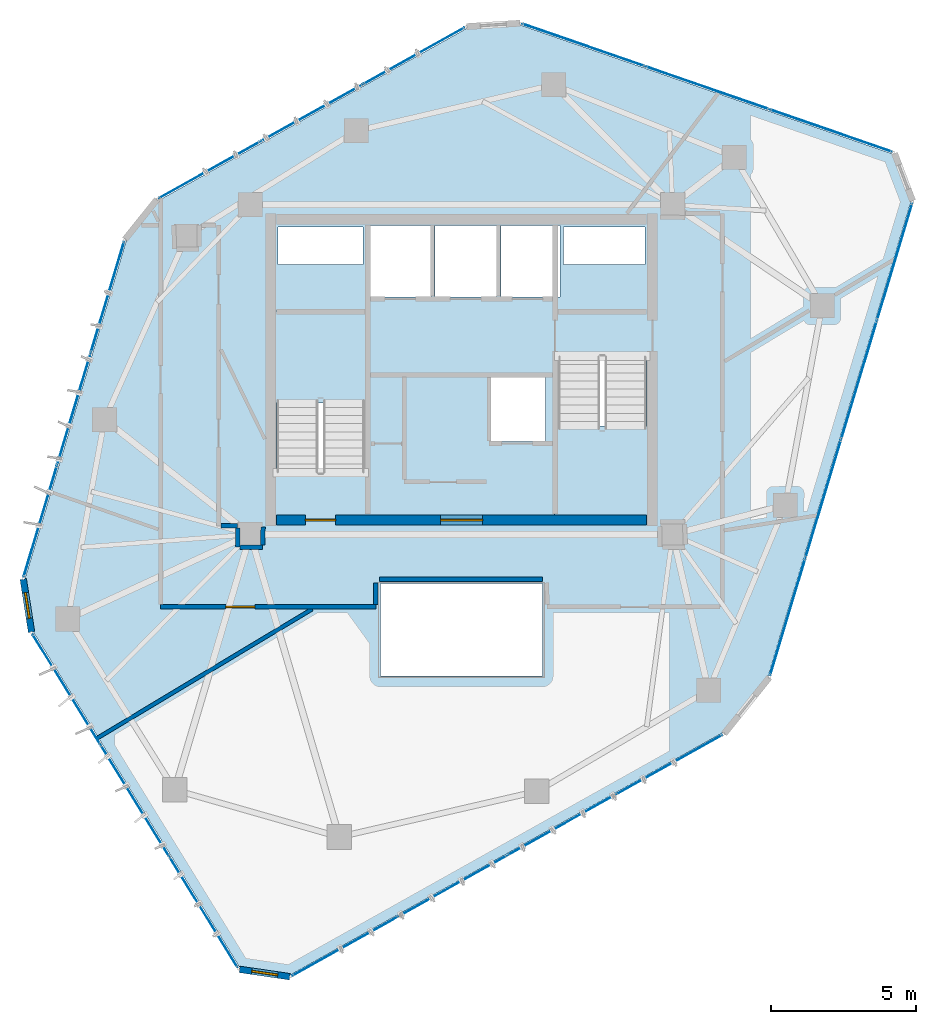
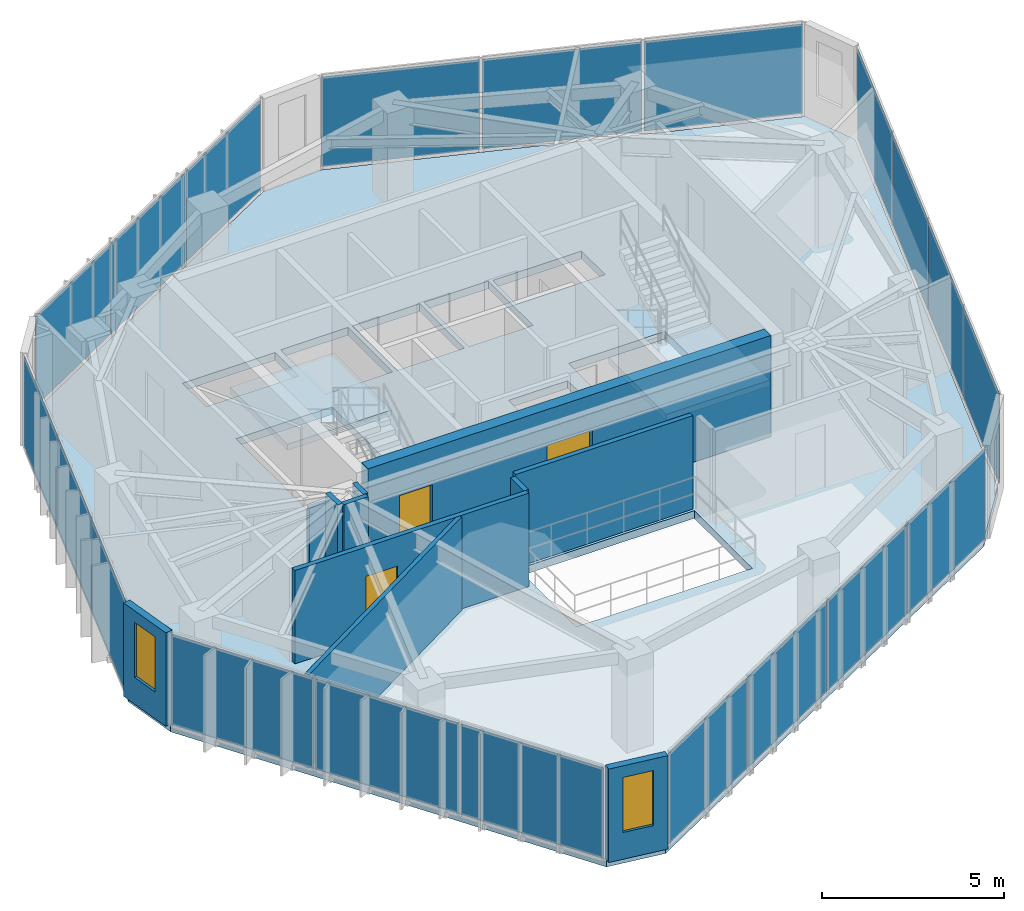
# One storey, part 16 of 20: 20 plates, 11 walls, 3 doors, 3 slabs, 2 windows, 5 openings, 8 elements without a shape of their own.
"""IFC4 building model written with IfcOpenShell, lengths in metres."""

from ifc_helpers import new_model, si_unit, direction, frame, frame_2d, origin, origin_2d, place, context, subcontext, project, spatial, polyline, rectangle, outline, extrude, source, transform, mapped, material, layer, layer_set, type_object, type_shapes, element, fill, aggregate, save


model = new_model("IFC4")

# Units and contexts
model_context = context("Model", 3, precision=1e-05, world=origin(), true_north=direction((0.0, 1.0)))
body_context = subcontext(model_context, "Body", "Model", "MODEL_VIEW")
ifc_project = project(units=[si_unit("LENGTHUNIT", "METRE"), si_unit("AREAUNIT", "SQUARE_METRE"), si_unit("VOLUMEUNIT", "CUBIC_METRE"), si_unit("PLANEANGLEUNIT", "RADIAN"), si_unit("MASSUNIT", "GRAM", prefix="KILO")], contexts=[model_context])

# Site, building, storey
site_placement = place(None, origin())
site = spatial("IfcSite", under=ifc_project, at=site_placement, CompositionType="ELEMENT")
building_placement = place(site_placement, origin())
building = spatial("IfcBuilding", under=site, at=building_placement, Name="Talar Marvaseh", CompositionType="ELEMENT")
storey_placement = place(building_placement, frame((0.0, 0.0, 257.800048828125)))
storey = spatial("IfcBuildingStorey", under=building, at=storey_placement, Name="L68", CompositionType="ELEMENT", Elevation=257.800048828125)

# Stair, slab
ifc_material_1 = material(Name="Concrete C40/50", Category="concrete")
stair_type = type_object("IfcStairType", Name="Reinforced Concrete High-Rise Exit Stair Type C", PredefinedType="HALF_TURN_STAIR", material=ifc_material_1)
stair_1_placement = place(storey_placement, origin())
stair_1 = element("IfcStair", 1, at=stair_1_placement, inside=storey, type_object=stair_type, Name="L68 Tower West Core Exit Stair", PredefinedType="HALF_TURN_STAIR")
ifc_layer_1 = layer(ifc_material_1, 0.199951171875)
ifc_layer_set_1 = layer_set([ifc_layer_1], Name="Concrete C40/50")
slab_type_1 = type_object("IfcSlabType", Name="Reinforced Concrete Stair Half-Landing Slab 200", PredefinedType="LANDING", material=ifc_layer_set_1)
slab_1_placement = place(storey_placement, frame((0.0, 0.0, 1.5)))
slab_1 = element("IfcSlab", 2, at=slab_1_placement, type_object=slab_type_1, Name="ST-1 landing 1", PredefinedType="LANDING", context=body_context, shape_type="SweptSolid", body=[
    extrude(outline(polyline([(22.780029296875, 30.050048828125), (22.780029296875, 33.219970703125), (19.47998046875, 33.219970703125), (19.47998046875, 30.050048828125), (22.780029296875, 30.050048828125)])), origin(), (0.0, 0.0, 1.0), 0.199951171875),
])
aggregate(stair_1, [slab_1])

stair_2_placement = place(storey_placement, origin())
stair_2 = element("IfcStair", 3, at=stair_2_placement, inside=storey, type_object=stair_type, Name="L68 Tower East Core Exit Stair", PredefinedType="HALF_TURN_STAIR")
slab_2_placement = place(storey_placement, frame((0.0, 0.0, 1.5)))
slab_2 = element("IfcSlab", 4, at=slab_2_placement, type_object=slab_type_1, Name="ST-2 landing 1", PredefinedType="LANDING", context=body_context, shape_type="SweptSolid", body=[
    extrude(outline(polyline([(29.219970703125, 29.25), (29.219970703125, 26.080078125), (32.52001953125, 26.080078125), (32.52001953125, 29.25), (29.219970703125, 29.25)])), origin(), (0.0, 0.0, 1.0), 0.199951171875),
])
aggregate(stair_2, [slab_2])

# Slab
ifc_layer_2 = layer(ifc_material_1, 0.260009765625)
ifc_layer_set_2 = layer_set([ifc_layer_2], Name="Concrete C40/50")
slab_type_2 = type_object("IfcSlabType", Name="Structural Suspended Floor Slab 260", PredefinedType="FLOOR", material=ifc_layer_set_2)
slab_3_placement = place(storey_placement, frame((0.0, 0.0, -0.260009765625)))
element("IfcSlab", 5, at=slab_3_placement, inside=storey, type_object=slab_type_2, Name="L68 Tower Floor Slab", PredefinedType="FLOOR", context=body_context, shape_type="SweptSolid", body=[
    extrude(outline(polyline([(20.07568359375, 10.26611328125), (18.336181640625, 10.5205078125), (11.1923828125, 22.134033203125), (10.906005859375, 23.96826171875), (14.409912109375, 35.660400390625), (15.5244140625, 37.049072265625), (26.18115234375, 43.00048828125), (28.033935546875, 43.117919921875), (40.918212890625, 38.6572265625), (41.543212890625, 37.01416015625), (36.599609375, 20.597412109375), (35.033203125, 18.645751953125), (20.07568359375, 10.26611328125)]), holes=[polyline([(22.659912109375, 27.64990234375), (22.659912109375, 33.10009765625), (19.60009765625, 33.10009765625), (19.60009765625, 27.64990234375), (22.659912109375, 27.64990234375)]), polyline([(29.340087890625, 31.64990234375), (29.340087890625, 26.199951171875), (32.39990234375, 26.199951171875), (32.39990234375, 31.64990234375), (29.340087890625, 31.64990234375)]), polyline([(22.800048828125, 33.719970703125), (24.93994140625, 33.719970703125), (24.93994140625, 36.179931640625), (22.800048828125, 36.179931640625), (22.800048828125, 33.719970703125)]), polyline([(25.080078125, 33.719970703125), (27.219970703125, 33.719970703125), (27.219970703125, 36.179931640625), (25.080078125, 36.179931640625), (25.080078125, 33.719970703125)]), polyline([(27.360107421875, 33.719970703125), (29.39990234375, 33.719970703125), (29.39990234375, 36.179931640625), (27.360107421875, 36.179931640625), (27.360107421875, 33.719970703125)]), polyline([(27.02001953125, 28.719970703125), (28.89990234375, 28.719970703125), (28.89990234375, 30.93994140625), (27.02001953125, 30.93994140625), (27.02001953125, 28.719970703125)]), polyline([(19.659912109375, 34.840087890625), (22.60009765625, 34.840087890625), (22.60009765625, 36.139892578125), (19.659912109375, 36.139892578125), (19.659912109375, 34.840087890625)]), polyline([(29.52001953125, 34.840087890625), (32.340087890625, 34.840087890625), (32.340087890625, 36.139892578125), (29.52001953125, 36.139892578125), (29.52001953125, 34.840087890625)]), polyline([(23.199951171875, 20.60009765625), (28.800048828125, 20.60009765625), (28.800048828125, 23.800048828125), (23.199951171875, 23.800048828125), (23.199951171875, 20.60009765625)])]), origin(), (0.0, 0.0, 1.0), 0.260009765625),
])

# Curtain wall, plates
ifc_material_2 = material(Name="Architectural Aluminium", Category="aluminium")
ifc_layer_3 = layer(ifc_material_2, 0.179931640625)
ifc_layer_set_3 = layer_set([ifc_layer_3], Name="Architectural Aluminium")
curtain_wall_type = type_object("IfcCurtainWallType", Name="Unitised High-Wind Sky Curtain Wall Z4", PredefinedType="NOTDEFINED", material=ifc_layer_set_3)
curtain_wall_1_placement = place(storey_placement, origin())
curtain_wall_1 = element("IfcCurtainWall", 6, at=curtain_wall_1_placement, inside=storey, type_object=curtain_wall_type, Name="L68 Unitised High-Wind Sky Curtain Wall Z4", PredefinedType="NOTDEFINED")
ifc_material_3 = material(Name="Laminated Low-E Solar Glass", Category="glass")
ifc_layer_4 = layer(ifc_material_3, 0.028076171875)
ifc_layer_set_4 = layer_set([ifc_layer_4], Name="Laminated Low-E Solar Glass")
plate_type = type_object("IfcPlateType", Name="Double-Glazed Low-E Vision Curtain Panel 28", PredefinedType="CURTAIN_PANEL", material=ifc_layer_set_4)
shared_shape_1 = source(origin(), body_context, "Body", "SweptSolid", [
    extrude(rectangle(XDim=4.447509765625, YDim=0.028076171875, at=origin_2d()), origin(), (0.0, 0.0, 1.0), 3.010009765625),
])
plate_1_placement = place(storey_placement, frame((17.0859375, 12.4384765625, 0.06494140625), z_axis=(0.0, 0.0, 1.0), x_axis=(-0.523928822294, 0.851762049618, 0.0)))
plate_1 = element("IfcPlate", 7, at=plate_1_placement, type_object=plate_type, Name="CW-Z4 panel 1.1", PredefinedType="CURTAIN_PANEL", context=body_context, shape_type="MappedRepresentation", body=[
    mapped(shared_shape_1, transform((0.0, 0.0, 0.0), x_axis=(1.0, 0.0, 0.0), y_axis=(0.0, 1.0, 0.0), z_axis=(0.0, 0.0, 1.0), scale=1.0)),
])
plate_2_placement = place(storey_placement, frame((12.340576171875, 20.153076171875, 0.06494140625), z_axis=(0.0, 0.0, 1.0), x_axis=(-0.523928822294, 0.851762049618, 0.0)))
plate_2 = element("IfcPlate", 8, at=plate_2_placement, type_object=plate_type, Name="CW-Z4 panel 3.1", PredefinedType="CURTAIN_PANEL", context=body_context, shape_type="MappedRepresentation", body=[
    mapped(shared_shape_1, transform((0.0, 0.0, 0.0), x_axis=(1.0, 0.0, 0.0), y_axis=(0.0, 1.0, 0.0), z_axis=(0.0, 0.0, 1.0), scale=1.0)),
])

curtain_wall_2_placement = place(storey_placement, origin())
curtain_wall_2 = element("IfcCurtainWall", 9, at=curtain_wall_2_placement, inside=storey, type_object=curtain_wall_type, Name="L68 Unitised High-Wind Sky Curtain Wall Z4", PredefinedType="NOTDEFINED")
plate_3_placement = place(storey_placement, frame((30.21630859375, 42.42578125, 0.06494140625), z_axis=(0.0, 0.0, 1.0), x_axis=(0.944972121067, -0.327150867959, 0.0)))
plate_3 = element("IfcPlate", 10, at=plate_3_placement, type_object=plate_type, Name="CW-Z4 panel 1.1", PredefinedType="CURTAIN_PANEL", context=body_context, shape_type="MappedRepresentation", body=[
    mapped(shared_shape_1, transform((0.0, 0.0, 0.0), x_axis=(1.0, 0.0, 0.0), y_axis=(0.0, 1.0, 0.0), z_axis=(0.0, 0.0, 1.0), scale=1.0)),
])
plate_4_placement = place(storey_placement, frame((38.775146484375, 39.462646484375, 0.06494140625), z_axis=(0.0, 0.0, 1.0), x_axis=(0.944972121067, -0.327150867959, 0.0)))
plate_4 = element("IfcPlate", 11, at=plate_4_placement, type_object=plate_type, Name="CW-Z4 panel 3.1", PredefinedType="CURTAIN_PANEL", context=body_context, shape_type="MappedRepresentation", body=[
    mapped(shared_shape_1, transform((0.0, 0.0, 0.0), x_axis=(1.0, 0.0, 0.0), y_axis=(0.0, 1.0, 0.0), z_axis=(0.0, 0.0, 1.0), scale=1.0)),
])

# Plate
shared_shape_2 = source(origin(), body_context, "Body", "SweptSolid", [
    extrude(rectangle(XDim=4.47998046875, YDim=0.028076171875, at=origin_2d()), origin(), (0.0, 0.0, 1.0), 3.010009765625),
])
plate_5_placement = place(storey_placement, frame((14.713134765625, 16.2958984375, 0.06494140625), z_axis=(0.0, 0.0, 1.0), x_axis=(-0.523928822294, 0.851762049618, 0.0)))
plate_5 = element("IfcPlate", 12, at=plate_5_placement, type_object=plate_type, Name="CW-Z4 panel 2.1", PredefinedType="CURTAIN_PANEL", context=body_context, shape_type="MappedRepresentation", body=[
    mapped(shared_shape_2, transform((0.0, 0.0, 0.0), x_axis=(1.0, 0.0, 0.0), y_axis=(0.0, 1.0, 0.0), z_axis=(0.0, 0.0, 1.0), scale=1.0)),
])

aggregate(curtain_wall_1, [plate_1, plate_5, plate_2])

plate_6_placement = place(storey_placement, frame((34.49560546875, 40.9443359375, 0.06494140625), z_axis=(0.0, 0.0, 1.0), x_axis=(0.944972121067, -0.327150867959, 0.0)))
plate_6 = element("IfcPlate", 13, at=plate_6_placement, type_object=plate_type, Name="CW-Z4 panel 2.1", PredefinedType="CURTAIN_PANEL", context=body_context, shape_type="MappedRepresentation", body=[
    mapped(shared_shape_2, transform((0.0, 0.0, 0.0), x_axis=(1.0, 0.0, 0.0), y_axis=(0.0, 1.0, 0.0), z_axis=(0.0, 0.0, 1.0), scale=1.0)),
])

aggregate(curtain_wall_2, [plate_3, plate_6, plate_4])

# Curtain wall, plates
curtain_wall_3_placement = place(storey_placement, origin())
curtain_wall_3 = element("IfcCurtainWall", 14, at=curtain_wall_3_placement, inside=storey, type_object=curtain_wall_type, Name="L68 Unitised High-Wind Sky Curtain Wall Z4", PredefinedType="NOTDEFINED")
shared_shape_3 = source(origin(), body_context, "Body", "SweptSolid", [
    extrude(rectangle(XDim=3.97119140625, YDim=0.028076171875, at=origin_2d()), origin(), (0.0, 0.0, 1.0), 3.010009765625),
])
plate_7_placement = place(storey_placement, frame((11.437255859375, 25.94970703125, 0.06494140625), z_axis=(0.0, 0.0, 1.0), x_axis=(0.287063008418, 0.957911702193, 0.0)))
plate_7 = element("IfcPlate", 15, at=plate_7_placement, type_object=plate_type, Name="CW-Z4 panel 1.1", PredefinedType="CURTAIN_PANEL", context=body_context, shape_type="MappedRepresentation", body=[
    mapped(shared_shape_3, transform((0.0, 0.0, 0.0), x_axis=(1.0, 0.0, 0.0), y_axis=(0.0, 1.0, 0.0), z_axis=(0.0, 0.0, 1.0), scale=1.0)),
])
plate_8_placement = place(storey_placement, frame((13.763671875, 33.71337890625, 0.06494140625), z_axis=(0.0, 0.0, 1.0), x_axis=(0.287063008418, 0.957911702193, 0.0)))
plate_8 = element("IfcPlate", 16, at=plate_8_placement, type_object=plate_type, Name="CW-Z4 panel 3.1", PredefinedType="CURTAIN_PANEL", context=body_context, shape_type="MappedRepresentation", body=[
    mapped(shared_shape_3, transform((0.0, 0.0, 0.0), x_axis=(1.0, 0.0, 0.0), y_axis=(0.0, 1.0, 0.0), z_axis=(0.0, 0.0, 1.0), scale=1.0)),
])

curtain_wall_4_placement = place(storey_placement, origin())
curtain_wall_4 = element("IfcCurtainWall", 17, at=curtain_wall_4_placement, inside=storey, type_object=curtain_wall_type, Name="L68 Unitised High-Wind Sky Curtain Wall Z4", PredefinedType="NOTDEFINED")
plate_9_placement = place(storey_placement, frame((17.285400390625, 38.101318359375, 0.06494140625), z_axis=(0.0, 0.0, 1.0), x_axis=(0.873073049607, 0.487589427747, 0.0)))
plate_9 = element("IfcPlate", 18, at=plate_9_placement, type_object=plate_type, Name="CW-Z4 panel 1.1", PredefinedType="CURTAIN_PANEL", context=body_context, shape_type="MappedRepresentation", body=[
    mapped(shared_shape_3, transform((0.0, 0.0, 0.0), x_axis=(1.0, 0.0, 0.0), y_axis=(0.0, 1.0, 0.0), z_axis=(0.0, 0.0, 1.0), scale=1.0)),
])
plate_10_placement = place(storey_placement, frame((24.361572265625, 42.05322265625, 0.06494140625), z_axis=(0.0, 0.0, 1.0), x_axis=(0.873073049607, 0.487589427747, 0.0)))
plate_10 = element("IfcPlate", 19, at=plate_10_placement, type_object=plate_type, Name="CW-Z4 panel 3.1", PredefinedType="CURTAIN_PANEL", context=body_context, shape_type="MappedRepresentation", body=[
    mapped(shared_shape_3, transform((0.0, 0.0, 0.0), x_axis=(1.0, 0.0, 0.0), y_axis=(0.0, 1.0, 0.0), z_axis=(0.0, 0.0, 1.0), scale=1.0)),
])

# Plate
shared_shape_4 = source(origin(), body_context, "Body", "SweptSolid", [
    extrude(rectangle(XDim=4.003662109375, YDim=0.028076171875, at=origin_2d()), origin(), (0.0, 0.0, 1.0), 3.010009765625),
])
plate_11_placement = place(storey_placement, frame((12.600341796875, 29.83154296875, 0.06494140625), z_axis=(0.0, 0.0, 1.0), x_axis=(0.287063008418, 0.957911702193, 0.0)))
plate_11 = element("IfcPlate", 20, at=plate_11_placement, type_object=plate_type, Name="CW-Z4 panel 2.1", PredefinedType="CURTAIN_PANEL", context=body_context, shape_type="MappedRepresentation", body=[
    mapped(shared_shape_4, transform((0.0, 0.0, 0.0), x_axis=(1.0, 0.0, 0.0), y_axis=(0.0, 1.0, 0.0), z_axis=(0.0, 0.0, 1.0), scale=1.0)),
])

aggregate(curtain_wall_3, [plate_7, plate_11, plate_8])

plate_12_placement = place(storey_placement, frame((20.823486328125, 40.0771484375, 0.06494140625), z_axis=(0.0, 0.0, 1.0), x_axis=(0.873073049607, 0.487589427747, 0.0)))
plate_12 = element("IfcPlate", 21, at=plate_12_placement, type_object=plate_type, Name="CW-Z4 panel 2.1", PredefinedType="CURTAIN_PANEL", context=body_context, shape_type="MappedRepresentation", body=[
    mapped(shared_shape_4, transform((0.0, 0.0, 0.0), x_axis=(1.0, 0.0, 0.0), y_axis=(0.0, 1.0, 0.0), z_axis=(0.0, 0.0, 1.0), scale=1.0)),
])

aggregate(curtain_wall_4, [plate_9, plate_12, plate_10])

# Curtain wall, plates
curtain_wall_5_placement = place(storey_placement, origin())
curtain_wall_5 = element("IfcCurtainWall", 22, at=curtain_wall_5_placement, inside=storey, type_object=curtain_wall_type, Name="L68 Unitised High-Wind Sky Curtain Wall Z4", PredefinedType="NOTDEFINED")
shared_shape_5 = source(origin(), body_context, "Body", "SweptSolid", [
    extrude(rectangle(XDim=4.188720703125, YDim=0.028076171875, at=origin_2d()), origin(), (0.0, 0.0, 1.0), 3.010009765625),
])
plate_13_placement = place(storey_placement, frame((40.978271484375, 34.92919921875, 0.06494140625), z_axis=(0.0, 0.0, 1.0), x_axis=(-0.288346227677, -0.957526215299, 0.0)))
plate_13 = element("IfcPlate", 23, at=plate_13_placement, type_object=plate_type, Name="CW-Z4 panel 1.1", PredefinedType="CURTAIN_PANEL", context=body_context, shape_type="MappedRepresentation", body=[
    mapped(shared_shape_5, transform((0.0, 0.0, 0.0), x_axis=(1.0, 0.0, 0.0), y_axis=(0.0, 1.0, 0.0), z_axis=(0.0, 0.0, 1.0), scale=1.0)),
])
plate_14_placement = place(storey_placement, frame((37.27978515625, 22.647705078125, 0.06494140625), z_axis=(0.0, 0.0, 1.0), x_axis=(-0.288346227677, -0.957526215299, 0.0)))
plate_14 = element("IfcPlate", 24, at=plate_14_placement, type_object=plate_type, Name="CW-Z4 panel 4.1", PredefinedType="CURTAIN_PANEL", context=body_context, shape_type="MappedRepresentation", body=[
    mapped(shared_shape_5, transform((0.0, 0.0, 0.0), x_axis=(1.0, 0.0, 0.0), y_axis=(0.0, 1.0, 0.0), z_axis=(0.0, 0.0, 1.0), scale=1.0)),
])

curtain_wall_6_placement = place(storey_placement, origin())
curtain_wall_6 = element("IfcCurtainWall", 25, at=curtain_wall_6_placement, inside=storey, type_object=curtain_wall_type, Name="L68 Unitised High-Wind Sky Curtain Wall Z4", PredefinedType="NOTDEFINED")
plate_15_placement = place(storey_placement, frame((33.1787109375, 17.5380859375, 0.06494140625), z_axis=(0.0, 0.0, 1.0), x_axis=(-0.872421760734, -0.488753794255, 0.0)))
plate_15 = element("IfcPlate", 26, at=plate_15_placement, type_object=plate_type, Name="CW-Z4 panel 1.1", PredefinedType="CURTAIN_PANEL", context=body_context, shape_type="MappedRepresentation", body=[
    mapped(shared_shape_5, transform((0.0, 0.0, 0.0), x_axis=(1.0, 0.0, 0.0), y_axis=(0.0, 1.0, 0.0), z_axis=(0.0, 0.0, 1.0), scale=1.0)),
])
plate_16_placement = place(storey_placement, frame((21.98876953125, 11.26904296875, 0.06494140625), z_axis=(0.0, 0.0, 1.0), x_axis=(-0.872421760734, -0.488753794255, 0.0)))
plate_16 = element("IfcPlate", 27, at=plate_16_placement, type_object=plate_type, Name="CW-Z4 panel 4.1", PredefinedType="CURTAIN_PANEL", context=body_context, shape_type="MappedRepresentation", body=[
    mapped(shared_shape_5, transform((0.0, 0.0, 0.0), x_axis=(1.0, 0.0, 0.0), y_axis=(0.0, 1.0, 0.0), z_axis=(0.0, 0.0, 1.0), scale=1.0)),
])

# Plate
shared_shape_6 = source(origin(), body_context, "Body", "SweptSolid", [
    extrude(rectangle(XDim=4.22119140625, YDim=0.028076171875, at=origin_2d()), origin(), (0.0, 0.0, 1.0), 3.010009765625),
])
type_shapes(plate_type, [shared_shape_1, shared_shape_2, shared_shape_3, shared_shape_4, shared_shape_5, shared_shape_6])
plate_17_placement = place(storey_placement, frame((39.746826171875, 30.840576171875, 0.06494140625), z_axis=(0.0, 0.0, 1.0), x_axis=(-0.288346227677, -0.957526215299, 0.0)))
plate_17 = element("IfcPlate", 28, at=plate_17_placement, type_object=plate_type, Name="CW-Z4 panel 2.1", PredefinedType="CURTAIN_PANEL", context=body_context, shape_type="MappedRepresentation", body=[
    mapped(shared_shape_6, transform((0.0, 0.0, 0.0), x_axis=(1.0, 0.0, 0.0), y_axis=(0.0, 1.0, 0.0), z_axis=(0.0, 0.0, 1.0), scale=1.0)),
])

plate_18_placement = place(storey_placement, frame((38.510986328125, 26.736328125, 0.06494140625), z_axis=(0.0, 0.0, 1.0), x_axis=(-0.288346227677, -0.957526215299, 0.0)))
plate_18 = element("IfcPlate", 29, at=plate_18_placement, type_object=plate_type, Name="CW-Z4 panel 3.1", PredefinedType="CURTAIN_PANEL", context=body_context, shape_type="MappedRepresentation", body=[
    mapped(shared_shape_6, transform((0.0, 0.0, 0.0), x_axis=(1.0, 0.0, 0.0), y_axis=(0.0, 1.0, 0.0), z_axis=(0.0, 0.0, 1.0), scale=1.0)),
])

aggregate(curtain_wall_5, [plate_13, plate_17, plate_18, plate_14])

plate_19_placement = place(storey_placement, frame((29.453369140625, 15.450927734375, 0.06494140625), z_axis=(0.0, 0.0, 1.0), x_axis=(-0.872421760734, -0.488753794255, 0.0)))
plate_19 = element("IfcPlate", 30, at=plate_19_placement, type_object=plate_type, Name="CW-Z4 panel 2.1", PredefinedType="CURTAIN_PANEL", context=body_context, shape_type="MappedRepresentation", body=[
    mapped(shared_shape_6, transform((0.0, 0.0, 0.0), x_axis=(1.0, 0.0, 0.0), y_axis=(0.0, 1.0, 0.0), z_axis=(0.0, 0.0, 1.0), scale=1.0)),
])

plate_20_placement = place(storey_placement, frame((25.714111328125, 13.356201171875, 0.06494140625), z_axis=(0.0, 0.0, 1.0), x_axis=(-0.872421760734, -0.488753794255, 0.0)))
plate_20 = element("IfcPlate", 31, at=plate_20_placement, type_object=plate_type, Name="CW-Z4 panel 3.1", PredefinedType="CURTAIN_PANEL", context=body_context, shape_type="MappedRepresentation", body=[
    mapped(shared_shape_6, transform((0.0, 0.0, 0.0), x_axis=(1.0, 0.0, 0.0), y_axis=(0.0, 1.0, 0.0), z_axis=(0.0, 0.0, 1.0), scale=1.0)),
])

aggregate(curtain_wall_6, [plate_15, plate_19, plate_20, plate_16])

# Wall, opening, window
ifc_material_4 = material(Name="Precast concrete C45/55", Category="concrete")
ifc_layer_5 = layer(ifc_material_4, 0.22509765625)
ifc_layer_set_5 = layer_set([ifc_layer_5], Name="Precast concrete C45/55")
wall_type_1 = type_object("IfcWallType", Name="Chamfered Hexagonal Corner Pier Wall Z4 225", PredefinedType="SOLIDWALL", material=ifc_layer_set_5)
wall_1_placement = place(storey_placement, frame((20.06689453125, 10.20654296875, 0.0), z_axis=(0.0, 0.0, 1.0), x_axis=(-0.98945475456, 0.144842288983, 0.0)))
wall_1 = element("IfcWall", 32, at=wall_1_placement, inside=storey, type_object=wall_type_1, Name="L68 Chamfered Corner Limestone Pier 1", PredefinedType="SOLIDWALL", context=body_context, shape_type="SweptSolid", body=[
    extrude(rectangle(XDim=1.758056640625, YDim=0.22509765625, at=frame_2d((0.87890625, 0.0))), origin(), (0.0, 0.0, 1.0), 3.139892578125),
])
opening_1_placement = place(wall_1_placement, frame((0.428955078125, 0.0, 0.89990234375)))
opening_1 = element("IfcOpeningElement", 33, at=opening_1_placement, cuts=wall_1, Name="Opening WN-CHM09", PredefinedType="OPENING", context=body_context, shape_type="SweptSolid", body=[
    extrude(rectangle(XDim=0.89990234375, YDim=1.85009765625, at=frame_2d((0.449951171875, 0.925048828125))), frame((0.0, 0.12255859375, 0.0), z_axis=(0.0, -1.0, 0.0), x_axis=(1.0, 0.0, 0.0)), (0.0, 0.0, 1.0), 0.2451171875),
])
window_type = type_object("IfcWindowType", Name="Zone 4 Chamfered Corner Slot Window 900x1850", PartitioningType="SINGLE_PANEL", PredefinedType="WINDOW", material=ifc_material_3)
shared_shape_7 = source(origin(), body_context, "Body", "SweptSolid", [
    extrude(rectangle(XDim=0.89990234375, YDim=1.85009765625, at=frame_2d((0.449951171875, 0.925048828125))), frame((0.0, 0.030029296875, 0.0), z_axis=(0.0, -1.0, 0.0), x_axis=(1.0, 0.0, 0.0)), (0.0, 0.0, 1.0), 0.06005859375),
])
type_shapes(window_type, [shared_shape_7])
window_1_placement = place(opening_1_placement, origin())
window_1 = element("IfcWindow", 34, at=window_1_placement, inside=storey, type_object=window_type, Name="L68 Chamfered Corner Slot Window", OverallHeight=1.85009765625, OverallWidth=0.89990234375, PartitioningType="SINGLE_PANEL", PredefinedType="WINDOW", context=body_context, shape_type="MappedRepresentation", body=[
    mapped(shared_shape_7, transform((0.0, 0.0, 0.0), x_axis=(1.0, 0.0, 0.0), y_axis=(0.0, 1.0, 0.0), z_axis=(0.0, 0.0, 1.0), scale=1.0)),
])
fill(opening_1, window_1)

wall_2_placement = place(storey_placement, frame((11.13330078125, 22.124755859375, 0.0), z_axis=(0.0, 0.0, 1.0), x_axis=(-0.154388915198, 0.988010153219, 0.0)))
wall_2 = element("IfcWall", 35, at=wall_2_placement, inside=storey, type_object=wall_type_1, Name="L68 Chamfered Corner Limestone Pier 2", PredefinedType="SOLIDWALL", context=body_context, shape_type="SweptSolid", body=[
    extrude(rectangle(XDim=1.8564453125, YDim=0.22509765625, at=frame_2d((0.92822265625, 0.0))), origin(), (0.0, 0.0, 1.0), 3.139892578125),
])
opening_2_placement = place(wall_2_placement, frame((0.47802734375, 0.0, 0.89990234375)))
opening_2 = element("IfcOpeningElement", 36, at=opening_2_placement, cuts=wall_2, Name="Opening WN-CHM09", PredefinedType="OPENING", context=body_context, shape_type="SweptSolid", body=[
    extrude(rectangle(XDim=0.89990234375, YDim=1.85009765625, at=frame_2d((0.449951171875, 0.925048828125))), frame((0.0, 0.12255859375, 0.0), z_axis=(0.0, -1.0, 0.0), x_axis=(1.0, 0.0, 0.0)), (0.0, 0.0, 1.0), 0.2451171875),
])
window_2_placement = place(opening_2_placement, origin())
window_2 = element("IfcWindow", 37, at=window_2_placement, inside=storey, type_object=window_type, Name="L68 Chamfered Corner Slot Window", OverallHeight=1.85009765625, OverallWidth=0.89990234375, PartitioningType="SINGLE_PANEL", PredefinedType="WINDOW", context=body_context, shape_type="MappedRepresentation", body=[
    mapped(shared_shape_7, transform((0.0, 0.0, 0.0), x_axis=(1.0, 0.0, 0.0), y_axis=(0.0, 1.0, 0.0), z_axis=(0.0, 0.0, 1.0), scale=1.0)),
])
fill(opening_2, window_2)

# Wall, opening, door
ifc_material_5 = material(Name="Gypsum Board Partition Assembly")
ifc_layer_6 = layer(ifc_material_5, 0.155029296875)
ifc_layer_set_6 = layer_set([ifc_layer_6], Name="Gypsum Board Partition Assembly")
wall_type_2 = type_object("IfcWallType", Name="Corridor Fire-Rated Acoustic Partition 155", PredefinedType="PARTITIONING", material=ifc_layer_set_6)
wall_3_placement = place(storey_placement, frame((23.0400390625, 23.0, 0.0), z_axis=(0.0, 0.0, 1.0), x_axis=(-1.0, 0.0, 0.0)))
wall_3 = element("IfcWall", 38, at=wall_3_placement, inside=storey, type_object=wall_type_2, Name="L68 Interior Partition Wall", PredefinedType="PARTITIONING", context=body_context, shape_type="SweptSolid", body=[
    extrude(rectangle(XDim=7.43994140625, YDim=0.155029296875, at=frame_2d((3.719970703125, 0.0))), origin(), (0.0, 0.0, 1.0), 3.139892578125),
])
opening_3_placement = place(wall_3_placement, frame((4.18603515625, 0.0, 0.0)))
opening_3 = element("IfcOpeningElement", 39, at=opening_3_placement, cuts=wall_3, Name="Opening DR-RM100", PredefinedType="OPENING", context=body_context, shape_type="SweptSolid", body=[
    extrude(rectangle(XDim=1.0, YDim=2.14990234375, at=frame_2d((0.5, 1.074951171875))), frame((0.0, 0.08740234375, 0.0), z_axis=(0.0, -1.0, 0.0), x_axis=(1.0, 0.0, 0.0)), (0.0, 0.0, 1.0), 0.175048828125),
])
ifc_material_6 = material(Name="Acoustic Engineered Oak Timber", Category="wood")
door_type_1 = type_object("IfcDoorType", Name="Corridor Fire-Rated Gallery Door 1000x2150", OperationType="NOTDEFINED", PredefinedType="DOOR", material=ifc_material_6)
shared_shape_8 = source(origin(), body_context, "Body", "SweptSolid", [
    extrude(rectangle(XDim=1.0, YDim=2.14990234375, at=frame_2d((0.5, 1.074951171875))), frame((0.0, 0.02490234375, 0.0), z_axis=(0.0, -1.0, 0.0), x_axis=(1.0, 0.0, 0.0)), (0.0, 0.0, 1.0), 0.050048828125),
])
type_shapes(door_type_1, [shared_shape_8])
door_1_placement = place(opening_3_placement, origin())
door_1 = element("IfcDoor", 40, at=door_1_placement, inside=storey, type_object=door_type_1, Name="L68 Museum Publication Bookshop Door", OperationType="SINGLE_SWING_LEFT", OverallHeight=2.14990234375, OverallWidth=1.0, PredefinedType="DOOR", context=body_context, shape_type="MappedRepresentation", body=[
    mapped(shared_shape_8, transform((0.0, 0.0, 0.0), x_axis=(1.0, 0.0, 0.0), y_axis=(0.0, 1.0, 0.0), z_axis=(0.0, 0.0, 1.0), scale=1.0)),
])
fill(opening_3, door_1)

# Walls
wall_4_placement = place(storey_placement, frame((17.68359375, 25.800048828125, 0.0), z_axis=(0.0, 0.0, 1.0), x_axis=(1.0, 0.0, 0.0)))
element("IfcWall", 41, at=wall_4_placement, inside=storey, type_object=wall_type_2, Name="L68 Interior Partition Wall", PredefinedType="PARTITIONING", context=body_context, shape_type="SweptSolid", body=[
    extrude(rectangle(XDim=0.576416015625, YDim=0.155029296875, at=frame_2d((0.2880859375, 0.0))), origin(), (0.0, 0.0, 1.0), 2.802001953125),
])
wall_5_placement = place(storey_placement, frame((18.260986328125, 25.716552734375, 0.0), z_axis=(0.0, 0.0, 1.0), x_axis=(0.010439401276, -0.999945507966, 0.0)))
element("IfcWall", 42, at=wall_5_placement, inside=storey, type_object=wall_type_2, Name="L68 Interior Partition Wall", PredefinedType="PARTITIONING", context=body_context, shape_type="SweptSolid", body=[
    extrude(rectangle(XDim=0.65478515625, YDim=0.155029296875, at=frame_2d((0.327392578125, 0.0))), origin(), (0.0, 0.0, 1.0), 3.139892578125),
])
wall_6_placement = place(storey_placement, frame((18.351318359375, 25.0615234375, 0.0), z_axis=(0.0, 0.0, 1.0), x_axis=(0.999998207633, -0.001893338355, 0.0)))
element("IfcWall", 43, at=wall_6_placement, inside=storey, type_object=wall_type_2, Name="L68 Interior Partition Wall", PredefinedType="PARTITIONING", context=body_context, shape_type="SweptSolid", body=[
    extrude(rectangle(XDim=0.773681640625, YDim=0.155029296875, at=frame_2d((0.38671875, 0.0))), origin(), (0.0, 0.0, 1.0), 3.139892578125),
])
wall_7_placement = place(storey_placement, frame((19.126708984375, 25.1435546875, 0.0), z_axis=(0.0, 0.0, 1.0), x_axis=(0.021238324089, 0.999774441357, 0.0)))
element("IfcWall", 44, at=wall_7_placement, inside=storey, type_object=wall_type_2, Name="L68 Interior Partition Wall", PredefinedType="PARTITIONING", context=body_context, shape_type="SweptSolid", body=[
    extrude(rectangle(XDim=0.620849609375, YDim=0.155029296875, at=frame_2d((0.310546875, 0.0))), origin(), (0.0, 0.0, 1.0), 3.139892578125),
])
wall_8_placement = place(storey_placement, frame((28.800048828125, 23.9599609375, 0.0), z_axis=(0.0, 0.0, 1.0), x_axis=(-0.999999841177, -0.000563600015, 0.0)))
element("IfcWall", 45, at=wall_8_placement, inside=storey, type_object=wall_type_2, Name="L68 Interior Partition Wall", PredefinedType="PARTITIONING", context=body_context, shape_type="SweptSolid", body=[
    extrude(rectangle(XDim=5.63134765625, YDim=0.155029296875, at=frame_2d((2.815673828125, 0.0))), origin(), (0.0, 0.0, 1.0), 3.139892578125),
])
wall_9_placement = place(storey_placement, frame((23.040771484375, 23.815673828125, 0.0), z_axis=(0.0, 0.0, 1.0), x_axis=(-0.001000332944, -0.999999499667, 0.0)))
element("IfcWall", 46, at=wall_9_placement, inside=storey, type_object=wall_type_2, Name="L68 Interior Partition Wall", PredefinedType="PARTITIONING", context=body_context, shape_type="SweptSolid", body=[
    extrude(rectangle(XDim=0.732177734375, YDim=0.155029296875, at=frame_2d((0.3662109375, 0.0))), origin(), (0.0, 0.0, 1.0), 3.139892578125),
])
ifc_layer_7 = layer(ifc_material_5, 0.135009765625)
ifc_layer_set_7 = layer_set([ifc_layer_7], Name="Gypsum Board Partition Assembly")
wall_type_3 = type_object("IfcWallType", Name="Gallery High-Acoustic Partition 135", PredefinedType="PARTITIONING", material=ifc_layer_set_7)
wall_10_placement = place(storey_placement, frame((20.8310546875, 22.91650390625, 0.0), z_axis=(0.0, 0.0, 1.0), x_axis=(-0.857291263759, -0.514831709477, 0.0)))
element("IfcWall", 47, at=wall_10_placement, inside=storey, type_object=wall_type_3, Name="L68 Interior Partition Wall", PredefinedType="PARTITIONING", context=body_context, shape_type="SweptSolid", body=[
    extrude(rectangle(XDim=8.6552734375, YDim=0.135009765625, at=frame_2d((4.32763671875, 0.0))), origin(), (0.0, 0.0, 1.0), 3.139892578125),
])

# Wall, openings, doors
ifc_material_7 = material(Name="Concrete C50/60", Category="concrete")
ifc_layer_8 = layer(ifc_material_7, 0.360107421875)
ifc_layer_set_8 = layer_set([ifc_layer_8], Name="Concrete C50/60")
wall_type_4 = type_object("IfcWallType", Name="Upper Core Reinforced Concrete Shear Wall 360", PredefinedType="SHEAR", material=ifc_layer_set_8)
wall_11_placement = place(storey_placement, frame((32.39990234375, 26.0, 0.0), z_axis=(0.0, 0.0, 1.0), x_axis=(-1.0, 0.0, 0.0)))
wall_11 = element("IfcWall", 48, at=wall_11_placement, inside=storey, type_object=wall_type_4, Name="L68 South Core Shear Wall", PredefinedType="SHEAR", context=body_context, shape_type="SweptSolid", body=[
    extrude(rectangle(XDim=12.7998046875, YDim=0.360107421875, at=frame_2d((6.39990234375, 0.0))), origin(), (0.0, 0.0, 1.0), 3.39990234375),
])
opening_4_placement = place(wall_11_placement, frame((10.75, 0.0, 0.0)))
opening_4 = element("IfcOpeningElement", 49, at=opening_4_placement, cuts=wall_11, Name="Opening DR-ST105", PredefinedType="OPENING", context=body_context, shape_type="SweptSolid", body=[
    extrude(rectangle(XDim=1.050048828125, YDim=2.14990234375, at=frame_2d((0.52490234375, 1.074951171875))), frame((0.0, 0.18994140625, 0.0), z_axis=(0.0, -1.0, 0.0), x_axis=(1.0, 0.0, 0.0)), (0.0, 0.0, 1.0), 0.380126953125),
])
opening_5_placement = place(wall_11_placement, frame((5.669921875, 0.0, 0.0)))
opening_5 = element("IfcOpeningElement", 50, at=opening_5_placement, cuts=wall_11, Name="Opening DR-LBY145", PredefinedType="OPENING", context=body_context, shape_type="SweptSolid", body=[
    extrude(rectangle(XDim=1.449951171875, YDim=2.199951171875, at=frame_2d((0.72509765625, 1.10009765625))), frame((0.0, 0.18994140625, 0.0), z_axis=(0.0, -1.0, 0.0), x_axis=(1.0, 0.0, 0.0)), (0.0, 0.0, 1.0), 0.380126953125),
])
ifc_material_8 = material(Name="Fire-Rated Steel Door Leaf", Category="steel")
door_type_2 = type_object("IfcDoorType", Name="Protected Exit Stair Fire Door 1050x2150", OperationType="NOTDEFINED", PredefinedType="DOOR", material=ifc_material_8)
shared_shape_9 = source(origin(), body_context, "Body", "SweptSolid", [
    extrude(rectangle(XDim=1.050048828125, YDim=2.14990234375, at=frame_2d((0.52490234375, 1.074951171875))), frame((0.0, 0.02490234375, 0.0), z_axis=(0.0, -1.0, 0.0), x_axis=(1.0, 0.0, 0.0)), (0.0, 0.0, 1.0), 0.050048828125),
])
type_shapes(door_type_2, [shared_shape_9])
door_2_placement = place(opening_4_placement, origin())
door_2 = element("IfcDoor", 51, at=door_2_placement, inside=storey, type_object=door_type_2, Name="L68 Stair ST-1 Exit Door", OperationType="SINGLE_SWING_RIGHT", OverallHeight=2.14990234375, OverallWidth=1.050048828125, PredefinedType="DOOR", context=body_context, shape_type="MappedRepresentation", body=[
    mapped(shared_shape_9, transform((0.0, 0.0, 0.0), x_axis=(1.0, 0.0, 0.0), y_axis=(0.0, 1.0, 0.0), z_axis=(0.0, 0.0, 1.0), scale=1.0)),
])
fill(opening_4, door_2)
door_type_3 = type_object("IfcDoorType", Name="Core Lift Lobby Double Smoke Door 1450x2200", OperationType="NOTDEFINED", PredefinedType="DOOR", material=ifc_material_8)
shared_shape_10 = source(origin(), body_context, "Body", "SweptSolid", [
    extrude(rectangle(XDim=1.449951171875, YDim=2.199951171875, at=frame_2d((0.72509765625, 1.10009765625))), frame((0.0, 0.02490234375, 0.0), z_axis=(0.0, -1.0, 0.0), x_axis=(1.0, 0.0, 0.0)), (0.0, 0.0, 1.0), 0.050048828125),
])
type_shapes(door_type_3, [shared_shape_10])
door_3_placement = place(opening_5_placement, origin())
door_3 = element("IfcDoor", 52, at=door_3_placement, inside=storey, type_object=door_type_3, Name="L68 Passenger Lift Lobby Entrance Door", OperationType="DOUBLE_DOOR_SINGLE_SWING", OverallHeight=2.199951171875, OverallWidth=1.449951171875, PredefinedType="DOOR", context=body_context, shape_type="MappedRepresentation", body=[
    mapped(shared_shape_10, transform((0.0, 0.0, 0.0), x_axis=(1.0, 0.0, 0.0), y_axis=(0.0, 1.0, 0.0), z_axis=(0.0, 0.0, 1.0), scale=1.0)),
])
fill(opening_5, door_3)

save(model, "model.ifc")
